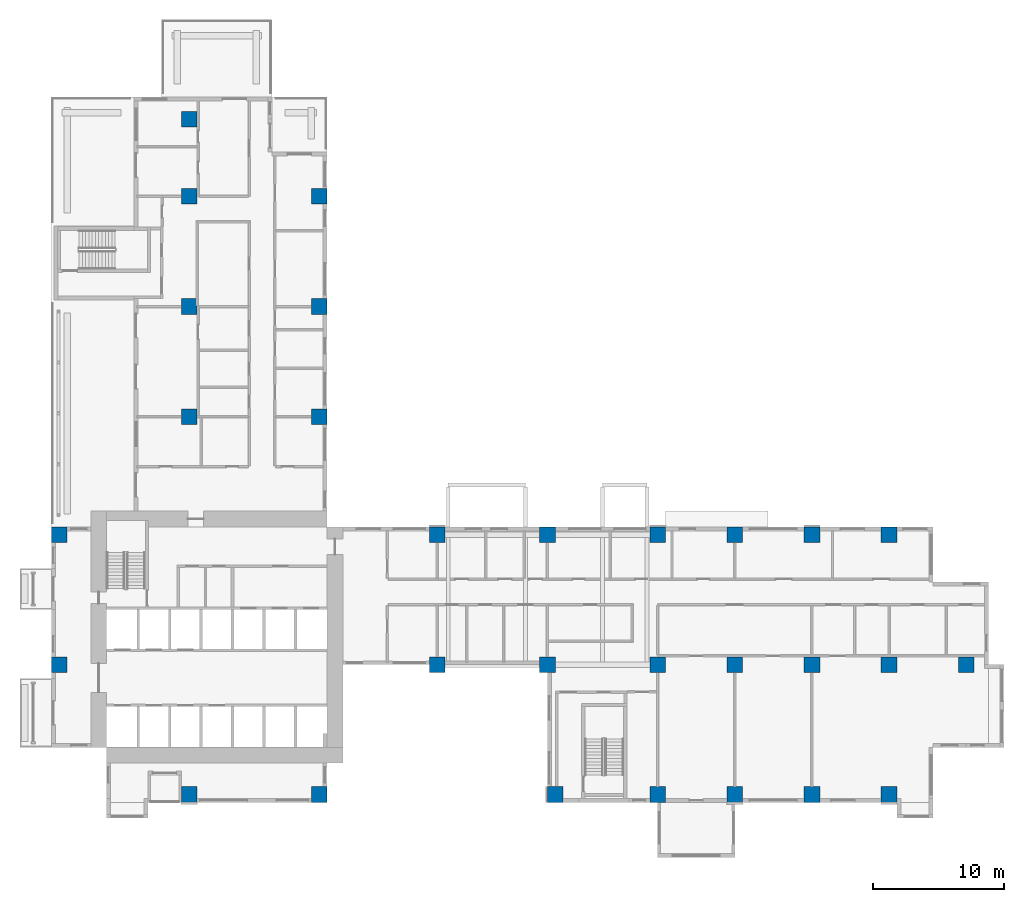
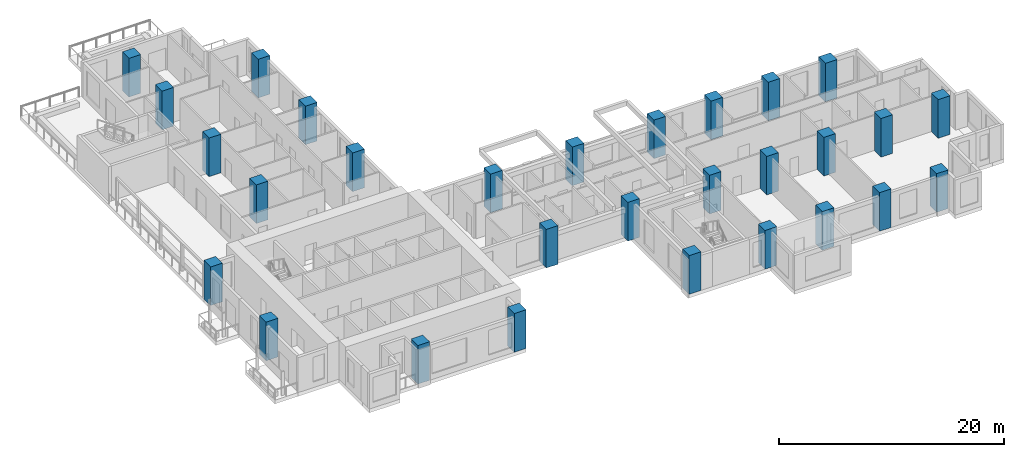
# One storey, part 1 of 18: 29 columns.
"""IFC4 building model written with IfcOpenShell, lengths in metres."""

from ifc_helpers import new_model, si_unit, direction, frame, origin, origin_2d, place, context, subcontext, project, spatial, rectangle, extrude, source, transform, mapped, material, material_profile, profile_set, type_object, element, save


model = new_model("IFC4")

# Units and contexts
model_context = context("Model", 3, precision=1e-05, world=origin(), true_north=direction((0.0, 1.0)))
body_context = subcontext(model_context, "Body", "Model", "MODEL_VIEW")
ifc_project = project(units=[si_unit("LENGTHUNIT", "METRE"), si_unit("AREAUNIT", "SQUARE_METRE"), si_unit("VOLUMEUNIT", "CUBIC_METRE"), si_unit("PLANEANGLEUNIT", "RADIAN"), si_unit("MASSUNIT", "GRAM", prefix="KILO")], contexts=[model_context])

# Site, building, storey
site_placement = place(None, origin())
site = spatial("IfcSite", under=ifc_project, at=site_placement, CompositionType="ELEMENT")
building_placement = place(site_placement, origin())
building = spatial("IfcBuilding", under=site, at=building_placement, Name="Aurelian Terraces", CompositionType="ELEMENT")
storey_placement = place(building_placement, frame((0.0, 0.0, 99.3)))
storey = spatial("IfcBuildingStorey", under=building, at=storey_placement, Name="L21", CompositionType="ELEMENT", Elevation=99.3)

# Columns
ifc_material = material(Name="Concrete fc' 83 MPa", Category="concrete")
ifc_material_profile = material_profile(ifc_material, rectangle(XDim=1.2, YDim=1.2, at=origin_2d()))
ifc_profile_set = profile_set([ifc_material_profile], Name="Concrete fc' 83 MPa")
column_type = type_object("IfcColumnType", Name="RC COLUMN 1200X1200 FC83", PredefinedType="COLUMN", material=ifc_profile_set)
shared_shape = source(origin(), body_context, "Body", "SweptSolid", [
    extrude(rectangle(XDim=1.2, YDim=1.2, at=origin_2d()), origin(), (0.0, 0.0, 1.0), 4.2),
])
for number, where, z_axis, x_axis, name in (
    (1, (10.5, 0.6, 0.0), (0.0, 0.0, 1.0), (1.0, 0.0, 0.0), "Column 2/A L21"),
    (2, (20.4, 0.6, 0.0), (0.0, 0.0, 1.0), (1.0, 0.0, 0.0), "Column 3/A L21"),
    (3, (38.4, 0.6, 0.0), (0.0, 0.0, 1.0), (1.0, 0.0, 0.0), "Column 5/A L21"),
    (4, (46.2, 0.6, 0.0), (0.0, 0.0, 1.0), (1.0, 0.0, 0.0), "Column 6/A L21"),
    (5, (52.08, 0.6, 0.0), (0.0, 0.0, 1.0), (1.0, 0.0, 0.0), "Column 7/A L21"),
    (6, (57.96, 0.6, 0.0), (0.0, 0.0, 1.0), (1.0, 0.0, 0.0), "Column 8/A L21"),
    (7, (63.84, 0.6, 0.0), (0.0, 0.0, 1.0), (1.0, 0.0, 0.0), "Column 9/A L21"),
    (8, (0.6, 10.5, 0.0), (0.0, 0.0, 1.0), (1.0, 0.0, 0.0), "Column 1/B L21"),
    (9, (29.4, 10.5, 0.0), (0.0, 0.0, 1.0), (1.0, 0.0, 0.0), "Column 4/B L21"),
    (10, (37.8, 10.5, 0.0), (0.0, 0.0, 1.0), (1.0, 0.0, 0.0), "Column 5/B L21"),
    (11, (46.2, 10.5, 0.0), (0.0, 0.0, 1.0), (1.0, 0.0, 0.0), "Column 6/B L21"),
    (12, (52.08, 10.5, 0.0), (0.0, 0.0, 1.0), (1.0, 0.0, 0.0), "Column 7/B L21"),
    (13, (57.96, 10.5, 0.0), (0.0, 0.0, 1.0), (1.0, 0.0, 0.0), "Column 8/B L21"),
    (14, (63.84, 10.5, 0.0), (0.0, 0.0, 1.0), (1.0, 0.0, 0.0), "Column 9/B L21"),
    (15, (69.72, 10.5, 0.0), (0.0, 0.0, 1.0), (1.0, 0.0, 0.0), "Column 10/B L21"),
    (16, (0.6, 20.4, 0.0), (0.0, 0.0, 1.0), (1.0, 0.0, 0.0), "Column 1/C L21"),
    (17, (29.4, 20.4, 0.0), (0.0, 0.0, 1.0), (1.0, 0.0, 0.0), "Column 4/C L21"),
    (18, (37.8, 20.4, 0.0), (0.0, 0.0, 1.0), (1.0, 0.0, 0.0), "Column 5/C L21"),
    (19, (46.2, 20.4, 0.0), (0.0, 0.0, 1.0), (1.0, 0.0, 0.0), "Column 6/C L21"),
    (20, (52.08, 20.4, 0.0), (0.0, 0.0, 1.0), (1.0, 0.0, 0.0), "Column 7/C L21"),
    (21, (57.96, 20.4, 0.0), (0.0, 0.0, 1.0), (1.0, 0.0, 0.0), "Column 8/C L21"),
    (22, (63.84, 20.4, 0.0), (0.0, 0.0, 1.0), (1.0, 0.0, 0.0), "Column 9/C L21"),
    (23, (10.5, 29.4, 0.0), (0.0, 0.0, 1.0), (1.0, 0.0, 0.0), "Column 2/D L21"),
    (24, (20.4, 29.4, 0.0), (0.0, 0.0, 1.0), (1.0, 0.0, 0.0), "Column 3/D L21"),
    (25, (10.5, 37.8, 0.0), (0.0, 0.0, 1.0), (1.0, 0.0, 0.0), "Column 2/E L21"),
    (26, (20.4, 37.8, 0.0), (0.0, 0.0, 1.0), (1.0, 0.0, 0.0), "Column 3/E L21"),
    (27, (10.5, 46.2, 0.0), (0.0, 0.0, 1.0), (1.0, 0.0, 0.0), "Column 2/F L21"),
    (28, (20.4, 46.2, 0.0), (0.0, 0.0, 1.0), (1.0, 0.0, 0.0), "Column 3/F L21"),
    (29, (10.5, 52.08, 0.0), (0.0, 0.0, 1.0), (1.0, 0.0, 0.0), "Column 2/G L21"),
):
    element("IfcColumn", number, at=place(storey_placement, frame(where, z_axis=z_axis, x_axis=x_axis)), inside=storey, type_object=column_type, Name=name, PredefinedType="COLUMN", context=body_context, shape_type="MappedRepresentation", body=[
        mapped(shared_shape, transform((0.0, 0.0, 0.0), scale=1.0)),
    ])

save(model, "model.ifc")
